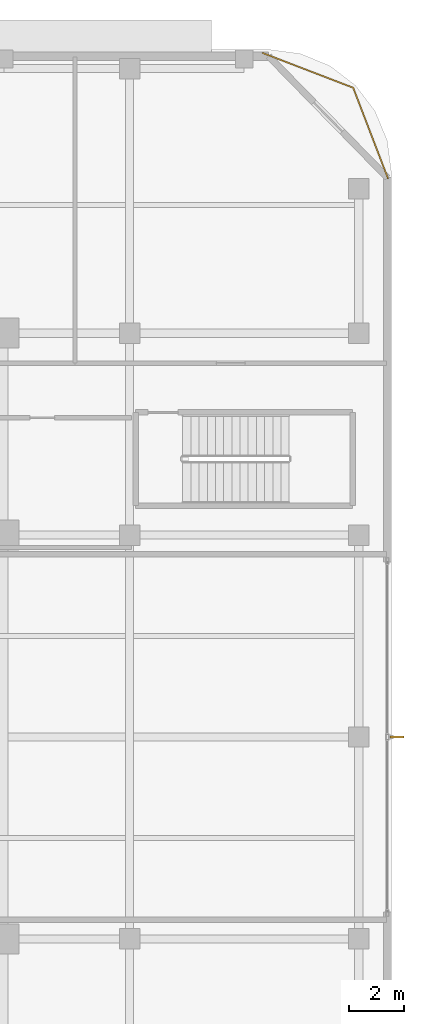
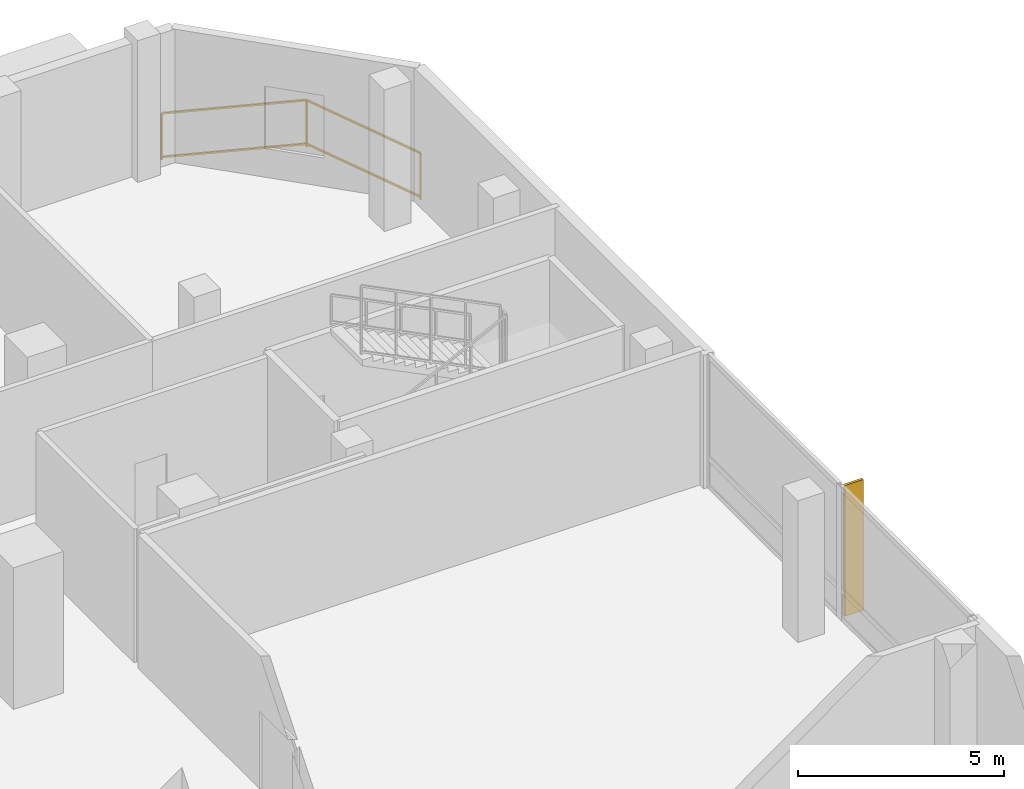
# One storey, part 19 of 19: 1 railing, 1 shading device.
"""IFC4 building model written with IfcOpenShell, lengths in metres."""

from ifc_helpers import new_model, si_unit, direction, frame, origin, origin_2d, place, context, subcontext, project, spatial, rectangle, extrude, material, layer, layer_set, type_object, element, save


model = new_model("IFC4")

# Units and contexts
model_context = context("Model", 3, precision=1e-05, world=origin(), true_north=direction((0.0, 1.0)))
body_context = subcontext(model_context, "Body", "Model", "MODEL_VIEW")
ifc_project = project(units=[si_unit("LENGTHUNIT", "METRE"), si_unit("AREAUNIT", "SQUARE_METRE"), si_unit("VOLUMEUNIT", "CUBIC_METRE"), si_unit("PLANEANGLEUNIT", "RADIAN"), si_unit("MASSUNIT", "GRAM", prefix="KILO")], contexts=[model_context])

# Site, building, storey
site_placement = place(None, origin())
site = spatial("IfcSite", under=ifc_project, at=site_placement, CompositionType="ELEMENT")
building_placement = place(site_placement, origin())
building = spatial("IfcBuilding", under=site, at=building_placement, Name="Khorvyn Point Tower", CompositionType="ELEMENT")
storey_placement = place(building_placement, frame((0.0, 0.0, 4.800048828125)))
storey = spatial("IfcBuildingStorey", under=building, at=storey_placement, Name="L02", CompositionType="ELEMENT", Elevation=4.800048828125)

# Shading device
ifc_material_1 = material(Name="Bronze anodised aluminium 6063-T6", Category="aluminium")
ifc_layer = layer(ifc_material_1, 0.074951171875)
ifc_layer_set = layer_set([ifc_layer], Name="Bronze Anodised Aluminium FIN 520x75")
shading_device_type = type_object("IfcShadingDeviceType", Name="Bronze Anodised Aluminium FIN 520x75", PredefinedType="USERDEFINED", material=ifc_layer_set)
shading_device_placement = place(storey_placement, frame((33.800048828125, 0.0, 0.0400390625), z_axis=(0.0, 0.0, 1.0), x_axis=(1.0, 0.0, 0.0)))
element("IfcShadingDevice", 1, at=shading_device_placement, inside=storey, type_object=shading_device_type, Name="L02 Anodised FIN 01", ObjectType="FIN", PredefinedType="USERDEFINED", context=body_context, shape_type="SweptSolid", body=[
    extrude(rectangle(XDim=0.52001953125, YDim=0.074951171875, at=origin_2d()), origin(), (0.0, 0.0, 1.0), 3.8798828125),
])

# Railing
ifc_material_2 = material(Name="Anodised aluminium 6063-T6 and laminated safety glass", Category="aluminium")
railing_type = type_object("IfcRailingType", Name="Laminated Glass and Aluminium Balcony Guardrail 1400", PredefinedType="BALUSTRADE", material=ifc_material_2)
railing_placement = place(storey_placement, frame((33.47412109375, 20.470703125, 0.0)))
element("IfcRailing", 2, at=railing_placement, inside=storey, type_object=railing_type, Name="L02 Rounded Corner Edge Guardrail NE", PredefinedType="BALUSTRADE", context=body_context, shape_type="SweptSolid", body=[
    extrude(rectangle(XDim=0.048095703125, YDim=0.048095703125, at=origin_2d()), frame((0.0, 0.0, 1.3759765625), z_axis=(-0.35841886047, 0.933560882031, 0.0), x_axis=(-0.933560882031, -0.35841886047, 0.0)), (0.0, 0.0, 1.0), 3.563232421875),
    extrude(rectangle(XDim=0.048095703125, YDim=0.048095703125, at=origin_2d()), frame((0.0, 0.0, 0.080078125), z_axis=(-0.35841886047, 0.933560882031, 0.0), x_axis=(-0.933560882031, -0.35841886047, 0.0)), (0.0, 0.0, 1.0), 3.563232421875),
    extrude(rectangle(XDim=0.048095703125, YDim=0.048095703125, at=origin_2d()), frame((-1.277099609375, 3.326416015625, 1.3759765625), z_axis=(-0.933575007025, 0.358382067435, 0.0), x_axis=(-0.358382067435, -0.933575007025, 0.0)), (0.0, 0.0, 1.0), 3.562744140625),
    extrude(rectangle(XDim=0.048095703125, YDim=0.048095703125, at=origin_2d()), frame((-1.277099609375, 3.326416015625, 0.080078125), z_axis=(-0.933575007025, 0.358382067435, 0.0), x_axis=(-0.358382067435, -0.933575007025, 0.0)), (0.0, 0.0, 1.0), 3.562744140625),
    extrude(rectangle(XDim=0.0419921875, YDim=0.0419921875, at=origin_2d()), origin(), (0.0, 0.0, 1.0), 1.351806640625),
    extrude(rectangle(XDim=0.0419921875, YDim=0.0419921875, at=origin_2d()), frame((-1.277099609375, 3.326416015625, 0.0)), (0.0, 0.0, 1.0), 1.351806640625),
    extrude(rectangle(XDim=0.0419921875, YDim=0.0419921875, at=origin_2d()), frame((-4.603271484375, 4.603271484375, 0.0)), (0.0, 0.0, 1.0), 1.351806640625),
])

save(model, "model.ifc")
